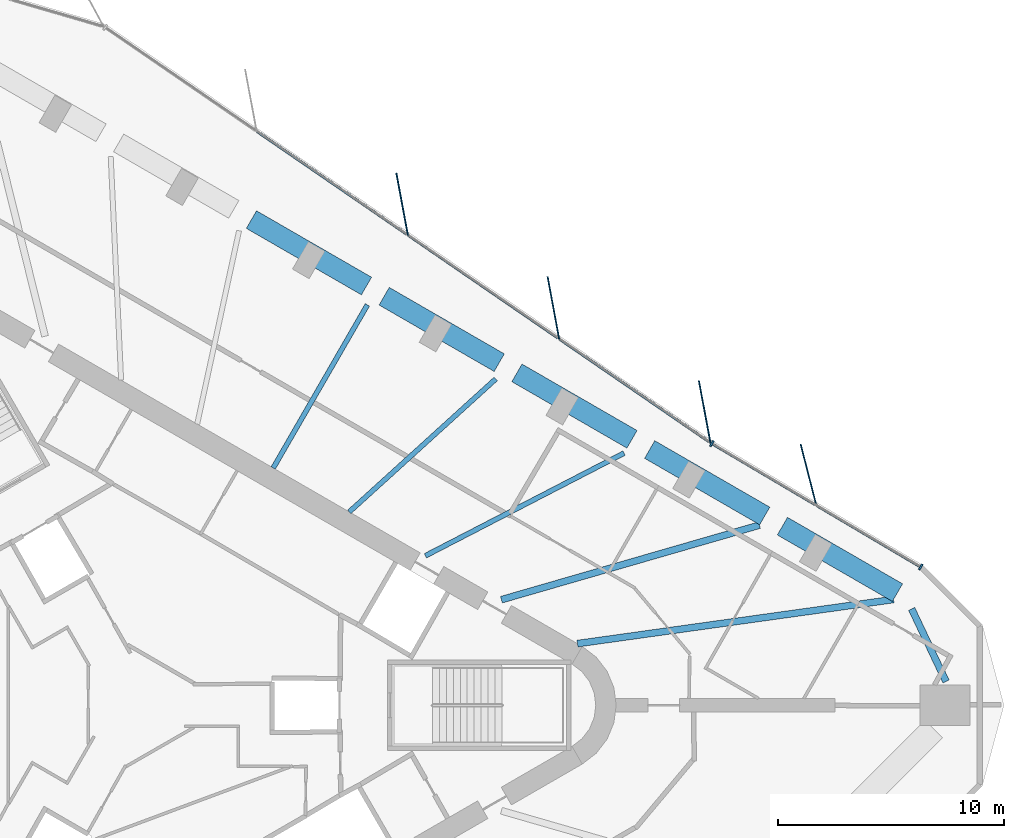
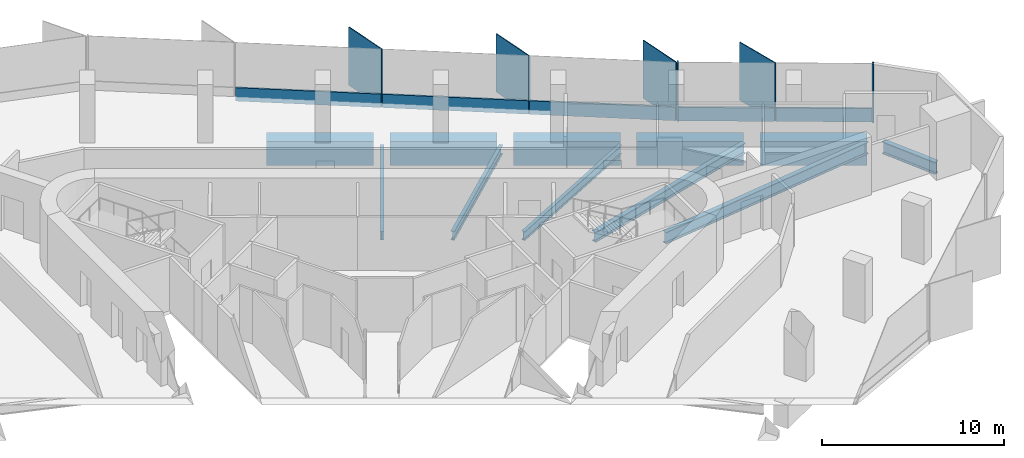
# One storey, part 5 of 14: 11 beams, 11 members, 2 elements without a shape of their own.
"""IFC4 building model written with IfcOpenShell, lengths in metres."""

from ifc_helpers import new_model, si_unit, direction, frame, origin, origin_2d, place, context, subcontext, project, spatial, rectangle, i_section, extrude, material, material_profile, profile_set, type_object, element, aggregate, save


model = new_model("IFC4")

# Units and contexts
model_context = context("Model", 3, precision=1e-05, world=origin(), true_north=direction((0.0, 1.0)))
body_context = subcontext(model_context, "Body", "Model", "MODEL_VIEW")
ifc_project = project(units=[si_unit("LENGTHUNIT", "METRE"), si_unit("AREAUNIT", "SQUARE_METRE"), si_unit("VOLUMEUNIT", "CUBIC_METRE"), si_unit("PLANEANGLEUNIT", "RADIAN"), si_unit("MASSUNIT", "GRAM", prefix="KILO")], contexts=[model_context])

# Site, building, storey
site_placement = place(None, origin())
site = spatial("IfcSite", under=ifc_project, at=site_placement, CompositionType="ELEMENT")
building_placement = place(site_placement, origin())
building = spatial("IfcBuilding", under=site, at=building_placement, Name="Tanit Gate Tower", CompositionType="ELEMENT")
storey_placement = place(building_placement, frame((0.0, 0.0, 298.699951171875)))
storey = spatial("IfcBuildingStorey", under=building, at=storey_placement, Name="L66", CompositionType="ELEMENT", Elevation=298.699951171875)

# Beam
ifc_material_1 = material(Name="Steel S460", Category="steel")
ifc_material_profile_1 = material_profile(ifc_material_1, i_section(OverallWidth=0.302978515625, OverallDepth=0.81396484375, WebThickness=0.02099609375, FlangeThickness=0.0400390625, FilletRadius=0.030029296875, at=origin_2d()), Name="HEM 800")
ifc_profile_set_1 = profile_set([ifc_material_profile_1], Name="Steel S460")
beam_type_1 = type_object("IfcBeamType", Name="BELT TRUSS CHORD HEM 800 S460", PredefinedType="BEAM", material=ifc_profile_set_1)
beam_1_placement = place(storey_placement, frame((35.77197265625, 1.050048828125, -0.70703125), z_axis=(-0.428790138655, 0.903404127172, 0.0), x_axis=(-0.903404127172, -0.428790138655, 0.0)))
element("IfcBeam", 1, at=beam_1_placement, inside=storey, type_object=beam_type_1, Name="BELT TRUSS CHORD", PredefinedType="BEAM", context=body_context, shape_type="SweptSolid", body=[
    extrude(i_section(OverallWidth=0.302978515625, OverallDepth=0.81396484375, WebThickness=0.02099609375, FlangeThickness=0.0400390625, FilletRadius=0.030029296875, at=origin_2d()), origin(), (0.0, 0.0, 1.0), 3.54833984375),
])

# Curtain wall, member
ifc_material_2 = material(Name="Aluminium bronze anodised and glass", Category="aluminium")
curtain_wall_type = type_object("IfcCurtainWallType", Name="Curtain wall typical high", PredefinedType="NOTDEFINED", material=ifc_material_2)
curtain_wall_1_placement = place(storey_placement, origin())
curtain_wall_1 = element("IfcCurtainWall", 2, at=curtain_wall_1_placement, inside=storey, type_object=curtain_wall_type, Name="Curtain wall L66 NE1", PredefinedType="NOTDEFINED")
ifc_material_3 = material(Name="Aluminium bronze anodised", Category="aluminium")
ifc_material_profile_2 = material_profile(ifc_material_3, rectangle(XDim=2.800048828125, YDim=0.055908203125, at=origin_2d()), Name="56x2800 bronze fin mullion")
ifc_profile_set_2 = profile_set([ifc_material_profile_2], Name="Aluminium bronze anodised")
member_type_1 = type_object("IfcMemberType", Name="FIN MULLION 56x2800 bronze", PredefinedType="MULLION", material=ifc_profile_set_2)
member_1_placement = place(storey_placement, frame((29.696533203125, 10.170654296875, -0.300048828125), z_axis=(0.0, 0.0, 1.0), x_axis=(0.249005848841, -0.968501981022, 0.0)))
member_1 = element("IfcMember", 3, at=member_1_placement, type_object=member_type_1, Name="Fin mullion L66 NE1.2", PredefinedType="MULLION", context=body_context, shape_type="SweptSolid", body=[
    extrude(rectangle(XDim=2.800048828125, YDim=0.055908203125, at=origin_2d()), origin(), (0.0, 0.0, 1.0), 3.900146484375),
])

# Curtain wall, members
curtain_wall_2_placement = place(storey_placement, origin())
curtain_wall_2 = element("IfcCurtainWall", 4, at=curtain_wall_2_placement, inside=storey, type_object=curtain_wall_type, Name="Curtain wall L66 NE2", PredefinedType="NOTDEFINED")
member_2_placement = place(storey_placement, frame((25.1083984375, 12.959228515625, -0.300048828125), z_axis=(0.0, 0.0, 1.0), x_axis=(0.182847499991, -0.983141287785, 0.0)))
member_2 = element("IfcMember", 5, at=member_2_placement, type_object=member_type_1, Name="Fin mullion L66 NE2.1", PredefinedType="MULLION", context=body_context, shape_type="SweptSolid", body=[
    extrude(rectangle(XDim=2.800048828125, YDim=0.055908203125, at=origin_2d()), origin(), (0.0, 0.0, 1.0), 3.900146484375),
])
member_3_placement = place(storey_placement, frame((18.426513671875, 17.54541015625, -0.300048828125), z_axis=(0.0, 0.0, 1.0), x_axis=(0.182847499991, -0.983141287785, 0.0)))
member_3 = element("IfcMember", 6, at=member_3_placement, type_object=member_type_1, Name="Fin mullion L66 NE2.2", PredefinedType="MULLION", context=body_context, shape_type="SweptSolid", body=[
    extrude(rectangle(XDim=2.800048828125, YDim=0.055908203125, at=origin_2d()), origin(), (0.0, 0.0, 1.0), 3.900146484375),
])
member_4_placement = place(storey_placement, frame((11.74462890625, 22.131591796875, -0.300048828125), z_axis=(0.0, 0.0, 1.0), x_axis=(0.182847499991, -0.983141287785, 0.0)))
member_4 = element("IfcMember", 7, at=member_4_placement, type_object=member_type_1, Name="Fin mullion L66 NE2.3", PredefinedType="MULLION", context=body_context, shape_type="SweptSolid", body=[
    extrude(rectangle(XDim=2.800048828125, YDim=0.055908203125, at=origin_2d()), origin(), (0.0, 0.0, 1.0), 3.900146484375),
])

# Member
ifc_material_4 = material(Name="Aluminium bronze anodised", Category="aluminium")
ifc_material_profile_3 = material_profile(ifc_material_4, rectangle(XDim=0.280029296875, YDim=0.080078125, at=origin_2d()), Name="80x280 bronze mullion")
ifc_profile_set_3 = profile_set([ifc_material_profile_3], Name="Aluminium bronze anodised")
member_type_2 = type_object("IfcMemberType", Name="Mullion 80x280 typical high", PredefinedType="MULLION", material=ifc_profile_set_3)
member_5_placement = place(storey_placement, frame((34.652099609375, 6.1083984375, -0.300048828125), z_axis=(0.0, 0.0, 1.0), x_axis=(-0.508760594103, -0.860908042644, 0.0)))
member_5 = element("IfcMember", 8, at=member_5_placement, type_object=member_type_2, Name="Mullion L66 NE1.1", PredefinedType="MULLION", context=body_context, shape_type="SweptSolid", body=[
    extrude(rectangle(XDim=0.280029296875, YDim=0.080078125, at=origin_2d()), origin(), (0.0, 0.0, 1.0), 3.900146484375),
])

member_6_placement = place(storey_placement, frame((25.42822265625, 11.559326171875, -0.300048828125), z_axis=(0.0, 0.0, 1.0), x_axis=(-0.508760594103, -0.860908042644, 0.0)))
member_6 = element("IfcMember", 9, at=member_6_placement, type_object=member_type_2, Name="Mullion L66 NE1.3", PredefinedType="MULLION", context=body_context, shape_type="SweptSolid", body=[
    extrude(rectangle(XDim=0.280029296875, YDim=0.080078125, at=origin_2d()), origin(), (0.0, 0.0, 1.0), 3.900146484375),
])

# Beams
ifc_material_5 = material(Name="Steel S355", Category="steel")
ifc_material_profile_4 = material_profile(ifc_material_5, i_section(OverallWidth=0.300048828125, OverallDepth=0.68994140625, WebThickness=0.014404296875, FlangeThickness=0.027099609375, FilletRadius=0.027099609375, at=origin_2d()), Name="HEA 700")
ifc_profile_set_4 = profile_set([ifc_material_profile_4], Name="Steel S355")
beam_type_2 = type_object("IfcBeamType", Name="RADIAL GIRDER HEA 700 S355", PredefinedType="BEAM", material=ifc_profile_set_4)
beam_2_placement = place(storey_placement, frame((27.528564453125, 7.955078125, -0.64501953125), z_axis=(-0.960692598628, -0.277614356511, 0.0), x_axis=(0.277614356511, -0.960692598628, 0.0)))
element("IfcBeam", 10, at=beam_2_placement, inside=storey, type_object=beam_type_2, Name="RADIAL GIRDER", PredefinedType="BEAM", context=body_context, shape_type="SweptSolid", body=[
    extrude(i_section(OverallWidth=0.300048828125, OverallDepth=0.68994140625, WebThickness=0.014404296875, FlangeThickness=0.027099609375, FilletRadius=0.027099609375, at=origin_2d()), origin(), (0.0, 0.0, 1.0), 11.8642578125),
])
ifc_material_6 = material(Name="Steel S355", Category="steel")
ifc_material_profile_5 = material_profile(ifc_material_6, i_section(OverallWidth=0.300048828125, OverallDepth=0.7900390625, WebThickness=0.014892578125, FlangeThickness=0.028076171875, FilletRadius=0.030029296875, at=origin_2d()), Name="HEA 800")
ifc_profile_set_5 = profile_set([ifc_material_profile_5], Name="Steel S355")
beam_type_3 = type_object("IfcBeamType", Name="RADIAL GIRDER HEA 800 S355", PredefinedType="BEAM", material=ifc_profile_set_5)
beam_3_placement = place(storey_placement, frame((33.450927734375, 4.6708984375, -0.695068359375), z_axis=(-0.990390390759, -0.138299941769, 0.0), x_axis=(0.138299941769, -0.990390390759, 0.0)))
element("IfcBeam", 11, at=beam_3_placement, inside=storey, type_object=beam_type_3, Name="RADIAL GIRDER", PredefinedType="BEAM", context=body_context, shape_type="SweptSolid", body=[
    extrude(i_section(OverallWidth=0.300048828125, OverallDepth=0.7900390625, WebThickness=0.014892578125, FlangeThickness=0.028076171875, FilletRadius=0.030029296875, at=origin_2d()), origin(), (0.0, 0.0, 1.0), 14.095947265625),
])
ifc_material_7 = material(Name="Steel S355", Category="steel")
ifc_material_profile_6 = material_profile(ifc_material_7, i_section(OverallWidth=0.219970703125, OverallDepth=0.60009765625, WebThickness=0.011962890625, FlangeThickness=0.01904296875, FilletRadius=0.02392578125, at=origin_2d()), Name="IPE 600")
ifc_profile_set_6 = profile_set([ifc_material_profile_6], Name="Steel S355")
beam_type_4 = type_object("IfcBeamType", Name="RADIAL GIRDER IPE 600 S355", PredefinedType="BEAM", material=ifc_profile_set_6)
beam_4_placement = place(storey_placement, frame((21.5498046875, 11.138916015625, -0.599853515625), z_axis=(-0.888343449029, -0.459179612534, 0.0), x_axis=(0.459179612534, -0.888343449029, 0.0)))
element("IfcBeam", 12, at=beam_4_placement, inside=storey, type_object=beam_type_4, Name="RADIAL GIRDER", PredefinedType="BEAM", context=body_context, shape_type="SweptSolid", body=[
    extrude(i_section(OverallWidth=0.219970703125, OverallDepth=0.60009765625, WebThickness=0.011962890625, FlangeThickness=0.01904296875, FilletRadius=0.02392578125, at=origin_2d()), origin(), (0.0, 0.0, 1.0), 9.882568359375),
])
beam_5_placement = place(storey_placement, frame((15.88037109375, 14.412109375, -0.599853515625), z_axis=(-0.740510084362, -0.672045247701, 0.0), x_axis=(0.672045247701, -0.740510084362, 0.0)))
element("IfcBeam", 13, at=beam_5_placement, inside=storey, type_object=beam_type_4, Name="RADIAL GIRDER", PredefinedType="BEAM", context=body_context, shape_type="SweptSolid", body=[
    extrude(i_section(OverallWidth=0.219970703125, OverallDepth=0.60009765625, WebThickness=0.011962890625, FlangeThickness=0.01904296875, FilletRadius=0.02392578125, at=origin_2d()), origin(), (0.0, 0.0, 1.0), 8.736572265625),
])
beam_6_placement = place(storey_placement, frame((10.210693359375, 17.685546875, -0.599853515625), z_axis=(-0.499995954789, -0.866027739276, 0.0), x_axis=(0.866027739276, -0.499995954789, 0.0)))
element("IfcBeam", 14, at=beam_6_placement, inside=storey, type_object=beam_type_4, Name="RADIAL GIRDER", PredefinedType="BEAM", context=body_context, shape_type="SweptSolid", body=[
    extrude(i_section(OverallWidth=0.219970703125, OverallDepth=0.60009765625, WebThickness=0.011962890625, FlangeThickness=0.01904296875, FilletRadius=0.02392578125, at=origin_2d()), origin(), (0.0, 0.0, 1.0), 8.3193359375),
])
ifc_material_8 = material(Name="Concrete C60/75", Category="concrete")
ifc_material_profile_7 = material_profile(ifc_material_8, rectangle(XDim=0.89990234375, YDim=1.60009765625, at=origin_2d()), Name="RC 900x1600")
ifc_profile_set_7 = profile_set([ifc_material_profile_7], Name="Concrete C60/75")
beam_type_5 = type_object("IfcBeamType", Name="TRANSFER GIRDER 900x1600 C60/75", PredefinedType="USERDEFINED", material=ifc_profile_set_7)
for number, where, z_axis, x_axis, name in (
    (15, (33.62646484375, 4.974609375, -1.099853515625), (-0.866023543838, 0.500003221507, 0.0), (-0.500003221507, -0.866023543838, 0.0), "TRANSFER GIRDER"),
    (16, (27.762451171875, 8.360107421875, -1.099853515625), (-0.866023543838, 0.500003221507, 0.0), (-0.500003221507, -0.866023543838, 0.0), "TRANSFER GIRDER"),
    (17, (21.898681640625, 11.74560546875, -1.099853515625), (-0.866023543838, 0.500003221507, 0.0), (-0.500003221507, -0.866023543838, 0.0), "TRANSFER GIRDER"),
    (18, (16.034912109375, 15.131103515625, -1.099853515625), (-0.866023543838, 0.500003221507, 0.0), (-0.500003221507, -0.866023543838, 0.0), "TRANSFER GIRDER"),
):
    element("IfcBeam", number, at=place(storey_placement, frame(where, z_axis=z_axis, x_axis=x_axis)), inside=storey, type_object=beam_type_5, Name=name, ObjectType="GIRDER", PredefinedType="USERDEFINED", context=body_context, shape_type="SweptSolid", body=[
        extrude(rectangle(XDim=0.89990234375, YDim=1.60009765625, at=origin_2d()), origin(), (0.0, 0.0, 1.0), 5.87109375),
    ])
beam_7_placement = place(storey_placement, frame((10.1708984375, 18.5166015625, -1.099853515625), z_axis=(-0.866013147201, 0.500021228425, 0.0), x_axis=(-0.500021228425, -0.866013147201, 0.0)))
element("IfcBeam", 19, at=beam_7_placement, inside=storey, type_object=beam_type_5, Name="TRANSFER GIRDER", ObjectType="GIRDER", PredefinedType="USERDEFINED", context=body_context, shape_type="SweptSolid", body=[
    extrude(rectangle(XDim=0.89990234375, YDim=1.60009765625, at=origin_2d()), origin(), (0.0, 0.0, 1.0), 5.870849609375),
])

# Member
ifc_material_9 = material(Name="Aluminium bronze anodised", Category="aluminium")
ifc_material_profile_8 = material_profile(ifc_material_9, rectangle(XDim=0.1201171875, YDim=0.89990234375, at=origin_2d()), Name="120x900 bronze transom")
ifc_profile_set_8 = profile_set([ifc_material_profile_8], Name="Aluminium bronze anodised")
member_type_3 = type_object("IfcMemberType", Name="Transom 120x900 typical high", PredefinedType="USERDEFINED", material=ifc_profile_set_8)
member_7_placement = place(storey_placement, frame((34.61767578125, 6.128662109375, 0.150146484375), z_axis=(-0.860910870601, 0.508755808695, 0.0), x_axis=(-0.508755808695, -0.860910870601, 0.0)))
member_7 = element("IfcMember", 20, at=member_7_placement, type_object=member_type_3, Name="Transom L66 NE1.1", ObjectType="TRANSOM", PredefinedType="USERDEFINED", context=body_context, shape_type="SweptSolid", body=[
    extrude(rectangle(XDim=0.1201171875, YDim=0.89990234375, at=origin_2d()), origin(), (0.0, 0.0, 1.0), 5.277099609375),
])

member_8_placement = place(storey_placement, frame((30.005615234375, 8.854248046875, 0.150146484375), z_axis=(-0.860898895481, 0.508776072314, 0.0), x_axis=(-0.508776072314, -0.860898895481, 0.0)))
member_8 = element("IfcMember", 21, at=member_8_placement, type_object=member_type_3, Name="Transom L66 NE1.2", ObjectType="TRANSOM", PredefinedType="USERDEFINED", context=body_context, shape_type="SweptSolid", body=[
    extrude(rectangle(XDim=0.1201171875, YDim=0.89990234375, at=origin_2d()), origin(), (0.0, 0.0, 1.0), 5.277099609375),
])

aggregate(curtain_wall_1, [member_5, member_1, member_6, member_7, member_8])

member_9_placement = place(storey_placement, frame((25.327880859375, 11.625, 0.150146484375), z_axis=(-0.824475777341, 0.565897245601, 0.0), x_axis=(-0.565897245601, -0.824475777341, 0.0)))
member_9 = element("IfcMember", 22, at=member_9_placement, type_object=member_type_3, Name="Transom L66 NE2.1", ObjectType="TRANSOM", PredefinedType="USERDEFINED", context=body_context, shape_type="SweptSolid", body=[
    extrude(rectangle(XDim=0.1201171875, YDim=0.89990234375, at=origin_2d()), origin(), (0.0, 0.0, 1.0), 8.0244140625),
])

member_10_placement = place(storey_placement, frame((18.64599609375, 16.211181640625, 0.150146484375), z_axis=(-0.824475777341, 0.565897245601, 0.0), x_axis=(-0.565897245601, -0.824475777341, 0.0)))
member_10 = element("IfcMember", 23, at=member_10_placement, type_object=member_type_3, Name="Transom L66 NE2.2", ObjectType="TRANSOM", PredefinedType="USERDEFINED", context=body_context, shape_type="SweptSolid", body=[
    extrude(rectangle(XDim=0.1201171875, YDim=0.89990234375, at=origin_2d()), origin(), (0.0, 0.0, 1.0), 8.0244140625),
])

member_11_placement = place(storey_placement, frame((11.9638671875, 20.79736328125, 0.150146484375), z_axis=(-0.824466033815, 0.565911441027, 0.0), x_axis=(-0.565911441027, -0.824466033815, 0.0)))
member_11 = element("IfcMember", 24, at=member_11_placement, type_object=member_type_3, Name="Transom L66 NE2.3", ObjectType="TRANSOM", PredefinedType="USERDEFINED", context=body_context, shape_type="SweptSolid", body=[
    extrude(rectangle(XDim=0.1201171875, YDim=0.89990234375, at=origin_2d()), origin(), (0.0, 0.0, 1.0), 8.024169921875),
])

aggregate(curtain_wall_2, [member_2, member_3, member_4, member_9, member_10, member_11])

save(model, "model.ifc")
